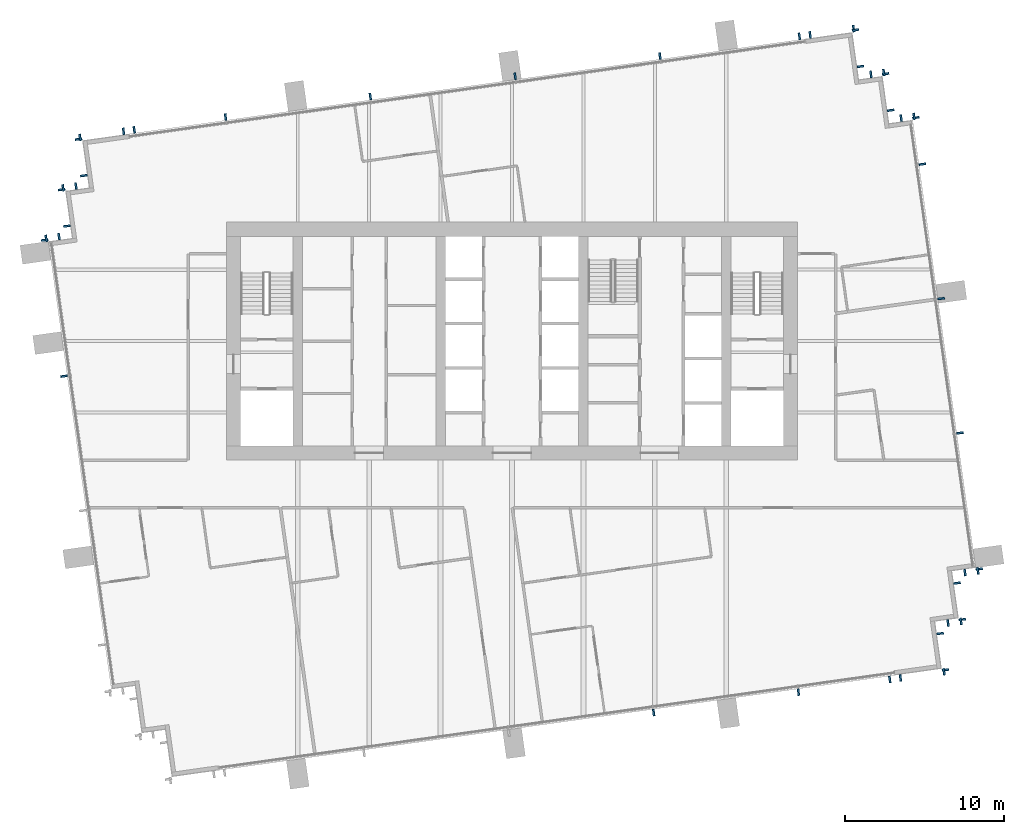
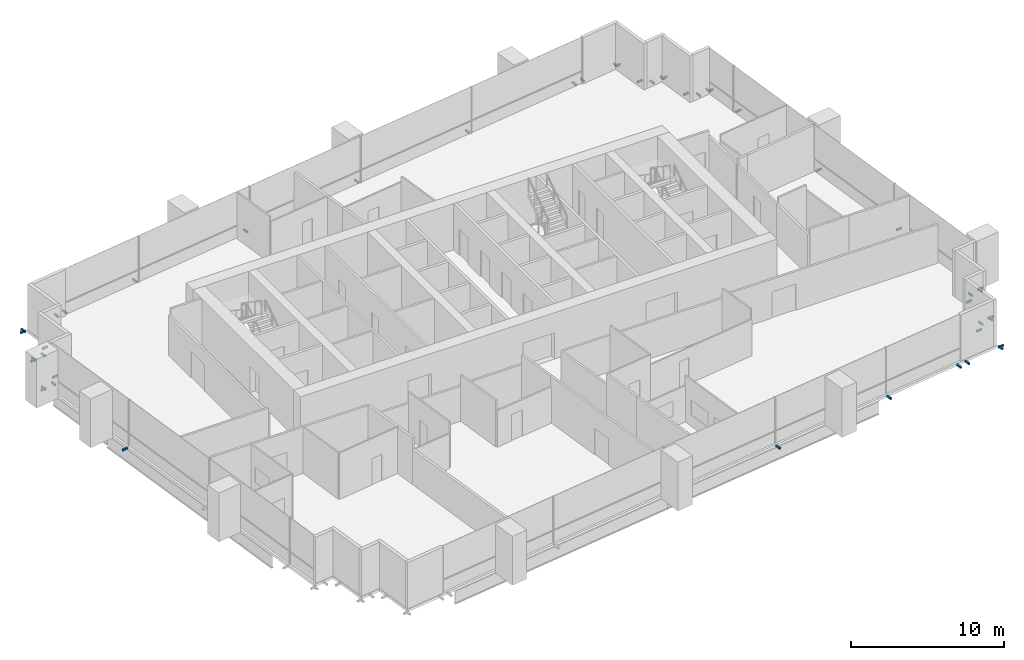
# One storey, part 13 of 14: 46 discrete accessories.
"""IFC4 building model written with IfcOpenShell, lengths in metres."""

from ifc_helpers import new_model, si_unit, direction, frame, origin, origin_2d, place, context, subcontext, project, spatial, rectangle, extrude, element, save


model = new_model("IFC4")

# Units and contexts
model_context = context("Model", 3, precision=1e-05, world=origin(), true_north=direction((0.0, 1.0)))
body_context = subcontext(model_context, "Body", "Model", "MODEL_VIEW")
ifc_project = project(units=[si_unit("LENGTHUNIT", "METRE"), si_unit("AREAUNIT", "SQUARE_METRE"), si_unit("VOLUMEUNIT", "CUBIC_METRE"), si_unit("PLANEANGLEUNIT", "RADIAN"), si_unit("MASSUNIT", "GRAM", prefix="KILO")], contexts=[model_context])

# Site, building, storey
site_placement = place(None, origin())
site = spatial("IfcSite", under=ifc_project, at=site_placement, CompositionType="ELEMENT")
building_placement = place(site_placement, origin())
building = spatial("IfcBuilding", under=site, at=building_placement, Name="Rattan Terrace Tower", CompositionType="ELEMENT")
storey_placement = place(building_placement, frame((0.0, 0.0, 172.39990234375)))
storey = spatial("IfcBuildingStorey", under=building, at=storey_placement, Name="L39", CompositionType="ELEMENT", Elevation=172.39990234375)

# Discrete accessories
for number, where, z_axis, x_axis, name in (
    (1, (24.474853515625, -21.2216796875, -0.169921875), (0.0, 0.0, 1.0), (0.990247240581, 0.139321220646, 0.0), "Panel bracket L39-1"),
    (2, (27.21826171875, -20.835693359375, -0.169921875), (0.0, 0.0, 1.0), (0.990247240581, 0.139321220646, 0.0), "Panel bracket L39-2"),
    (3, (27.30322265625, -20.72265625, -0.169921875), (0.0, 0.0, 1.0), (-0.139321220646, 0.990247240581, 0.0), "Panel bracket L39-3"),
    (4, (26.97998046875, -18.42529296875, -0.169921875), (0.0, 0.0, 1.0), (-0.139321220646, 0.990247240581, 0.0), "Panel bracket L39-4"),
    (5, (27.473876953125, -17.7705078125, -0.169921875), (0.0, 0.0, 1.0), (0.990345406709, 0.138621698915, 0.0), "Panel bracket L39-5"),
    (6, (28.286376953125, -17.65673828125, -0.169921875), (0.0, 0.0, 1.0), (0.990345406709, 0.138621698915, 0.0), "Panel bracket L39-6"),
    (7, (28.371337890625, -17.5439453125, -0.169921875), (0.0, 0.0, 1.0), (-0.139321220646, 0.990247240581, 0.0), "Panel bracket L39-7"),
    (8, (28.048095703125, -15.24609375, -0.169921875), (0.0, 0.0, 1.0), (-0.139321220646, 0.990247240581, 0.0), "Panel bracket L39-8"),
    (9, (28.54150390625, -14.5908203125, -0.169921875), (0.0, 0.0, 1.0), (0.99025370695, 0.139275252184, 0.0), "Panel bracket L39-9"),
    (10, (29.354248046875, -14.4765625, -0.169921875), (0.0, 0.0, 1.0), (0.99025370695, 0.139275252184, 0.0), "Panel bracket L39-10"),
    (11, (29.439208984375, -14.36376953125, -0.169921875), (0.0, 0.0, 1.0), (-0.139190856006, 0.99026557327, 0.0), "Panel bracket L39-11"),
    (12, (28.23388671875, -5.787841796875, -0.169921875), (0.0, 0.0, 1.0), (-0.139190856006, 0.99026557327, 0.0), "Panel bracket L39-12"),
    (13, (27.043701171875, 2.6787109375, -0.169921875), (0.0, 0.0, 1.0), (-0.139190856006, 0.99026557327, 0.0), "Panel bracket L39-13"),
    (14, (25.853759765625, 11.1455078125, -0.169921875), (0.0, 0.0, 1.0), (-0.139190856006, 0.99026557327, 0.0), "Panel bracket L39-14"),
    (15, (25.441650390625, 14.0771484375, -0.169921875), (0.0, 0.0, 1.0), (-0.139190856006, 0.99026557327, 0.0), "Panel bracket L39-15"),
    (16, (25.328857421875, 14.162353515625, -0.169921875), (0.0, 0.0, 1.0), (-0.990240767803, -0.139367219175, 0.0), "Panel bracket L39-16"),
    (17, (24.51708984375, 14.048095703125, -0.169921875), (0.0, 0.0, 1.0), (-0.990240767803, -0.139367219175, 0.0), "Panel bracket L39-17"),
    (18, (23.86181640625, 14.54150390625, -0.169921875), (0.0, 0.0, 1.0), (-0.139321220646, 0.990247240581, 0.0), "Panel bracket L39-18"),
    (19, (23.53857421875, 16.83935546875, -0.169921875), (0.0, 0.0, 1.0), (-0.139321220646, 0.990247240581, 0.0), "Panel bracket L39-19"),
    (20, (23.42578125, 16.92431640625, -0.169921875), (0.0, 0.0, 1.0), (-0.990240767803, -0.139367219175, 0.0), "Panel bracket L39-20"),
    (21, (22.614013671875, 16.81005859375, -0.169921875), (0.0, 0.0, 1.0), (-0.990240767803, -0.139367219175, 0.0), "Panel bracket L39-21"),
    (22, (21.958984375, 17.303466796875, -0.169921875), (0.0, 0.0, 1.0), (-0.139321220646, 0.990247240581, 0.0), "Panel bracket L39-22"),
    (23, (21.635498046875, 19.601318359375, -0.169921875), (0.0, 0.0, 1.0), (-0.139321220646, 0.990247240581, 0.0), "Panel bracket L39-23"),
    (24, (21.522705078125, 19.686279296875, -0.169921875), (0.0, 0.0, 1.0), (-0.990240767803, -0.139367219175, 0.0), "Panel bracket L39-24"),
    (25, (18.780517578125, 19.30029296875, -0.169921875), (0.0, 0.0, 1.0), (-0.990240767803, -0.139367219175, 0.0), "Panel bracket L39-25"),
    (26, (18.10693359375, 19.20556640625, -0.169921875), (0.0, 0.0, 1.0), (-0.990269702686, -0.139161474347, 0.0), "Panel bracket L39-26"),
    (27, (9.3203125, 17.970947265625, -0.169921875), (0.0, 0.0, 1.0), (-0.990269702686, -0.139161474347, 0.0), "Panel bracket L39-27"),
    (28, (0.197021484375, 16.688720703125, -0.169921875), (0.0, 0.0, 1.0), (-0.990269702686, -0.139161474347, 0.0), "Panel bracket L39-28"),
    (29, (-8.92626953125, 15.40673828125, -0.169921875), (0.0, 0.0, 1.0), (-0.990269702686, -0.139161474347, 0.0), "Panel bracket L39-29"),
    (30, (-18.0498046875, 14.12451171875, -0.169921875), (0.0, 0.0, 1.0), (-0.990269702686, -0.139161474347, 0.0), "Panel bracket L39-30"),
    (31, (-23.801513671875, 13.316162109375, -0.169921875), (0.0, 0.0, 1.0), (-0.990269702686, -0.139161474347, 0.0), "Panel bracket L39-31"),
    (32, (-24.474853515625, 13.2216796875, -0.169921875), (0.0, 0.0, 1.0), (-0.990247240581, -0.139321220646, 0.0), "Panel bracket L39-32"),
    (33, (-27.21826171875, 12.835693359375, -0.169921875), (0.0, 0.0, 1.0), (-0.990247240581, -0.139321220646, 0.0), "Panel bracket L39-33"),
    (34, (-27.30322265625, 12.72265625, -0.169921875), (0.0, 0.0, 1.0), (0.139321220646, -0.990247240581, 0.0), "Panel bracket L39-34"),
    (35, (-26.97998046875, 10.42529296875, -0.169921875), (0.0, 0.0, 1.0), (0.139321220646, -0.990247240581, 0.0), "Panel bracket L39-35"),
    (36, (-27.473876953125, 9.7705078125, -0.169921875), (0.0, 0.0, 1.0), (-0.990345406709, -0.138621698915, 0.0), "Panel bracket L39-36"),
    (37, (-28.286376953125, 9.65673828125, -0.169921875), (0.0, 0.0, 1.0), (-0.990345406709, -0.138621698915, 0.0), "Panel bracket L39-37"),
    (38, (-28.371337890625, 9.5439453125, -0.169921875), (0.0, 0.0, 1.0), (0.139321220646, -0.990247240581, 0.0), "Panel bracket L39-38"),
    (39, (-28.048095703125, 7.24609375, -0.169921875), (0.0, 0.0, 1.0), (0.139321220646, -0.990247240581, 0.0), "Panel bracket L39-39"),
    (40, (-28.54150390625, 6.5908203125, -0.169921875), (0.0, 0.0, 1.0), (-0.99025370695, -0.139275252184, 0.0), "Panel bracket L39-40"),
    (41, (-29.354248046875, 6.4765625, -0.169921875), (0.0, 0.0, 1.0), (-0.99025370695, -0.139275252184, 0.0), "Panel bracket L39-41"),
    (42, (-29.439208984375, 6.36376953125, -0.169921875), (0.0, 0.0, 1.0), (0.139190856006, -0.99026557327, 0.0), "Panel bracket L39-42"),
    (43, (-28.23388671875, -2.212158203125, -0.169921875), (0.0, 0.0, 1.0), (0.139190856006, -0.99026557327, 0.0), "Panel bracket L39-43"),
    (44, (8.92626953125, -23.40673828125, -0.169921875), (0.0, 0.0, 1.0), (0.990269702686, 0.139161474347, 0.0), "Panel bracket L39-60"),
    (45, (18.0498046875, -22.12451171875, -0.169921875), (0.0, 0.0, 1.0), (0.990269702686, 0.139161474347, 0.0), "Panel bracket L39-61"),
    (46, (23.801513671875, -21.316162109375, -0.169921875), (0.0, 0.0, 1.0), (0.990269702686, 0.139161474347, 0.0), "Panel bracket L39-62"),
):
    element("IfcDiscreteAccessory", number, at=place(storey_placement, frame(where, z_axis=z_axis, x_axis=x_axis)), inside=storey, Name=name, PredefinedType="BRACKET", context=body_context, shape_type="SweptSolid", body=[
        extrude(rectangle(XDim=0.1201171875, YDim=0.419921875, at=origin_2d()), origin(), (0.0, 0.0, 1.0), 0.139892578125),
    ])

save(model, "model.ifc")
